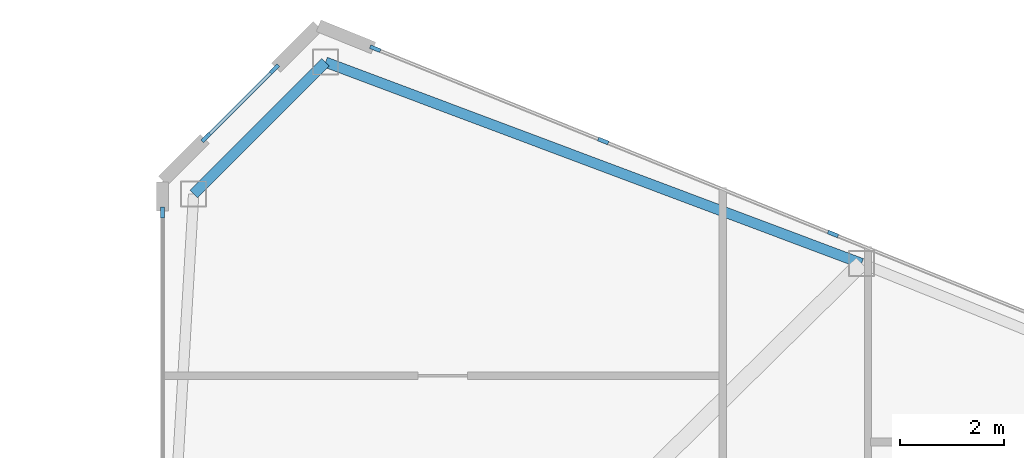
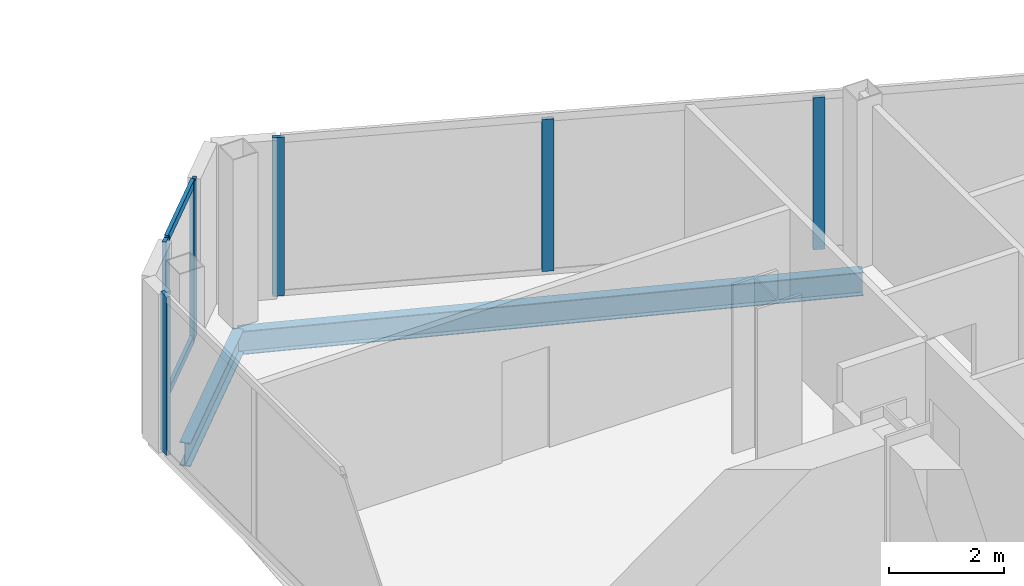
# One storey, part 13 of 25: 8 members, 2 beams, 3 elements without a shape of their own.
"""IFC4 building model written with IfcOpenShell, lengths in metres."""

from ifc_helpers import new_model, si_unit, direction, frame, origin, origin_2d, place, context, subcontext, project, spatial, rectangle, i_section, extrude, source, transform, mapped, material, layer, layer_set, material_profile, profile_set, type_object, type_shapes, element, aggregate, save


model = new_model("IFC4")

# Units and contexts
model_context = context("Model", 3, precision=1e-05, world=origin(), true_north=direction((0.0, 1.0)))
body_context = subcontext(model_context, "Body", "Model", "MODEL_VIEW")
ifc_project = project(units=[si_unit("LENGTHUNIT", "METRE"), si_unit("AREAUNIT", "SQUARE_METRE"), si_unit("VOLUMEUNIT", "CUBIC_METRE"), si_unit("PLANEANGLEUNIT", "RADIAN"), si_unit("MASSUNIT", "GRAM", prefix="KILO")], contexts=[model_context])

# Site, building, storey
site_placement = place(None, origin())
site = spatial("IfcSite", under=ifc_project, at=site_placement, CompositionType="ELEMENT")
building_placement = place(site_placement, origin())
building = spatial("IfcBuilding", under=site, at=building_placement, Name="Seokmaru Belvedere", CompositionType="ELEMENT")
storey_placement = place(building_placement, frame((0.0, 0.0, 36.89990234375)))
storey = spatial("IfcBuildingStorey", under=building, at=storey_placement, Name="L09", CompositionType="ELEMENT", Elevation=36.89990234375)

# Beams
ifc_material_1 = material(Name="Steel SM355 (355 MPa)", Category="steel")
ifc_material_profile_1 = material_profile(ifc_material_1, i_section(OverallWidth=0.199951171875, OverallDepth=0.5, WebThickness=0.010009765625, FlangeThickness=0.01611328125, at=origin_2d()), Name="H-500x200x10x16")
ifc_profile_set_1 = profile_set([ifc_material_profile_1], Name="Steel SM355 (355 MPa)")
beam_type = type_object("IfcBeamType", Name="Perimeter Spandrel Beam H-500", PredefinedType="SPANDREL", material=ifc_profile_set_1)
shared_shape_1 = source(origin(), body_context, "Body", "SweptSolid", [
    extrude(i_section(OverallWidth=0.199951171875, OverallDepth=0.5, WebThickness=0.010009765625, FlangeThickness=0.01611328125, at=origin_2d()), origin(), (0.0, 0.0, 1.0), 11.03857421875),
])
beam_1_placement = place(storey_placement, frame((30.643310546875, 26.294677734375, -0.469970703125), z_axis=(0.936169110734, -0.351549990907, 0.0), x_axis=(0.351549990907, 0.936169110734, 0.0)))
element("IfcBeam", 1, at=beam_1_placement, inside=storey, type_object=beam_type, Name="L09 E Faceted Flank Spandrel N-1", PredefinedType="SPANDREL", context=body_context, shape_type="MappedRepresentation", body=[
    mapped(shared_shape_1, transform((0.0, 0.0, 0.0), scale=1.0)),
])
shared_shape_2 = source(origin(), body_context, "Body", "SweptSolid", [
    extrude(i_section(OverallWidth=0.199951171875, OverallDepth=0.5, WebThickness=0.010009765625, FlangeThickness=0.01611328125, at=origin_2d()), origin(), (0.0, 0.0, 1.0), 3.5966796875),
])
type_shapes(beam_type, [shared_shape_1, shared_shape_2])
beam_2_placement = place(storey_placement, frame((30.643310546875, 26.294677734375, -0.469970703125), z_axis=(-0.707106781187, -0.707106781187, 0.0), x_axis=(0.707106781187, -0.707106781187, 0.0)))
element("IfcBeam", 2, at=beam_2_placement, inside=storey, type_object=beam_type, Name="L09 E Shoulder Chamfer Spandrel N", PredefinedType="SPANDREL", context=body_context, shape_type="MappedRepresentation", body=[
    mapped(shared_shape_2, transform((0.0, 0.0, 0.0), scale=1.0)),
])

# Curtain wall, member
ifc_material_2 = material(Name="Bronze Triple Insulating Glass", Category="glass")
ifc_layer = layer(ifc_material_2, 0.2099609375)
ifc_layer_set = layer_set([ifc_layer], Name="Bronze Triple Insulating Glass")
curtain_wall_type = type_object("IfcCurtainWallType", Name="Low-Rise Faceted Crystal Curtain Wall System CW-2", PredefinedType="NOTDEFINED", material=ifc_layer_set)
curtain_wall_1_placement = place(storey_placement, origin())
curtain_wall_1 = element("IfcCurtainWall", 3, at=curtain_wall_1_placement, inside=storey, type_object=curtain_wall_type, Name="L09 Curtain Wall EF3", PredefinedType="NOTDEFINED")
ifc_material_3 = material(Name="Anodised Bronze Aluminium", Category="aluminium")
ifc_material_profile_2 = material_profile(ifc_material_3, rectangle(XDim=0.074951171875, YDim=0.2099609375, at=origin_2d()), Name="CW-M-75x210")
ifc_profile_set_2 = profile_set([ifc_material_profile_2], Name="Anodised Bronze Aluminium")
member_type_1 = type_object("IfcMemberType", Name="Bronze Unitised Mullion 75x210", PredefinedType="MULLION", material=ifc_profile_set_2)
shared_shape_3 = source(origin(), body_context, "Body", "SweptSolid", [
    extrude(rectangle(XDim=0.074951171875, YDim=0.2099609375, at=origin_2d()), origin(), (0.0, 0.0, 1.0), 3.380126953125),
])
member_1_placement = place(storey_placement, frame((31.600830078125, 26.554443359375, 0.0), z_axis=(0.0, 0.0, 1.0), x_axis=(-0.375192321888, -0.926946989637, 0.0)))
member_1 = element("IfcMember", 4, at=member_1_placement, type_object=member_type_1, Name="CW:L09:EF3 Mullion 10", PredefinedType="MULLION", context=body_context, shape_type="MappedRepresentation", body=[
    mapped(shared_shape_3, transform((0.0, 0.0, 0.0), scale=1.0)),
])

# Curtain wall, members
curtain_wall_2_placement = place(storey_placement, origin())
curtain_wall_2 = element("IfcCurtainWall", 5, at=curtain_wall_2_placement, inside=storey, type_object=curtain_wall_type, Name="L09 Curtain Wall EF4", PredefinedType="NOTDEFINED")
member_2_placement = place(storey_placement, frame((29.660400390625, 26.160400390625, 0.0), z_axis=(0.0, 0.0, 1.0), x_axis=(0.707106781187, -0.707106781187, 0.0)))
member_2 = element("IfcMember", 6, at=member_2_placement, type_object=member_type_1, Name="CW:L09:EF4 Mullion 1", PredefinedType="MULLION", context=body_context, shape_type="MappedRepresentation", body=[
    mapped(shared_shape_3, transform((0.0, 0.0, 0.0), scale=1.0)),
])
member_3_placement = place(storey_placement, frame((28.339599609375, 24.839599609375, 0.0), z_axis=(0.0, 0.0, 1.0), x_axis=(0.707106781187, -0.707106781187, 0.0)))
member_3 = element("IfcMember", 7, at=member_3_placement, type_object=member_type_1, Name="CW:L09:EF4 Mullion 2", PredefinedType="MULLION", context=body_context, shape_type="MappedRepresentation", body=[
    mapped(shared_shape_3, transform((0.0, 0.0, 0.0), scale=1.0)),
])

# Curtain wall, member
curtain_wall_3_placement = place(storey_placement, origin())
curtain_wall_3 = element("IfcCurtainWall", 8, at=curtain_wall_3_placement, inside=storey, type_object=curtain_wall_type, Name="L09 Curtain Wall ESP_2", PredefinedType="NOTDEFINED")
member_4_placement = place(storey_placement, frame((27.5, 23.392578125, 0.0), z_axis=(0.0, 0.0, 1.0), x_axis=(1.0, 0.0, 0.0)))
member_4 = element("IfcMember", 9, at=member_4_placement, type_object=member_type_1, Name="CW:L09:ESP_2 Mullion 1", PredefinedType="MULLION", context=body_context, shape_type="MappedRepresentation", body=[
    mapped(shared_shape_3, transform((0.0, 0.0, 0.0), scale=1.0)),
])
aggregate(curtain_wall_3, [member_4])

# Member
ifc_material_profile_3 = material_profile(ifc_material_3, rectangle(XDim=0.070068359375, YDim=0.1650390625, at=origin_2d()), Name="CW-T-70x165")
ifc_profile_set_3 = profile_set([ifc_material_profile_3], Name="Anodised Bronze Aluminium")
member_type_2 = type_object("IfcMemberType", Name="Bronze Unitised Transom 70x165", PredefinedType="USERDEFINED", material=ifc_profile_set_3)
shared_shape_4 = source(origin(), body_context, "Body", "SweptSolid", [
    extrude(rectangle(XDim=0.070068359375, YDim=0.1650390625, at=origin_2d()), origin(), (0.0, 0.0, 1.0), 1.792724609375),
])
type_shapes(member_type_2, [shared_shape_4])
member_5_placement = place(storey_placement, frame((29.6337890625, 26.1337890625, 0.03515625), z_axis=(-0.707106781187, -0.707106781187, 0.0), x_axis=(0.707106781187, -0.707106781187, 0.0)))
member_5 = element("IfcMember", 10, at=member_5_placement, type_object=member_type_2, Name="CW:L09:EF4 Continuous Transom 1", ObjectType="TRANSOM", PredefinedType="USERDEFINED", context=body_context, shape_type="MappedRepresentation", body=[
    mapped(shared_shape_4, transform((0.0, 0.0, 0.0), scale=1.0)),
])

member_6_placement = place(storey_placement, frame((29.6337890625, 26.1337890625, 3.34521484375), z_axis=(-0.707106781187, -0.707106781187, 0.0), x_axis=(0.707106781187, -0.707106781187, 0.0)))
member_6 = element("IfcMember", 11, at=member_6_placement, type_object=member_type_2, Name="CW:L09:EF4 Continuous Transom 2", ObjectType="TRANSOM", PredefinedType="USERDEFINED", context=body_context, shape_type="MappedRepresentation", body=[
    mapped(shared_shape_4, transform((0.0, 0.0, 0.0), scale=1.0)),
])

aggregate(curtain_wall_2, [member_2, member_3, member_5, member_6])

shared_shape_5 = source(origin(), body_context, "Body", "SweptSolid", [
    extrude(rectangle(XDim=0.074951171875, YDim=0.2099609375, at=origin_2d()), origin(), (0.0, 0.0, 1.0), 3.239990234375),
])
type_shapes(member_type_1, [shared_shape_3, shared_shape_5])
member_7_placement = place(storey_placement, frame((40.425537109375, 22.982421875, 0.070068359375), z_axis=(0.0, 0.0, 1.0), x_axis=(-0.375192321888, -0.926946989637, 0.0)))
member_7 = element("IfcMember", 12, at=member_7_placement, type_object=member_type_1, Name="CW:L09:EF3 Mullion 8", PredefinedType="MULLION", context=body_context, shape_type="MappedRepresentation", body=[
    mapped(shared_shape_5, transform((0.0, 0.0, 0.0), scale=1.0)),
])

member_8_placement = place(storey_placement, frame((35.995849609375, 24.775390625, 0.070068359375), z_axis=(0.0, 0.0, 1.0), x_axis=(-0.375192321888, -0.926946989637, 0.0)))
member_8 = element("IfcMember", 13, at=member_8_placement, type_object=member_type_1, Name="CW:L09:EF3 Mullion 9", PredefinedType="MULLION", context=body_context, shape_type="MappedRepresentation", body=[
    mapped(shared_shape_5, transform((0.0, 0.0, 0.0), scale=1.0)),
])

aggregate(curtain_wall_1, [member_7, member_8, member_1])

save(model, "model.ifc")
